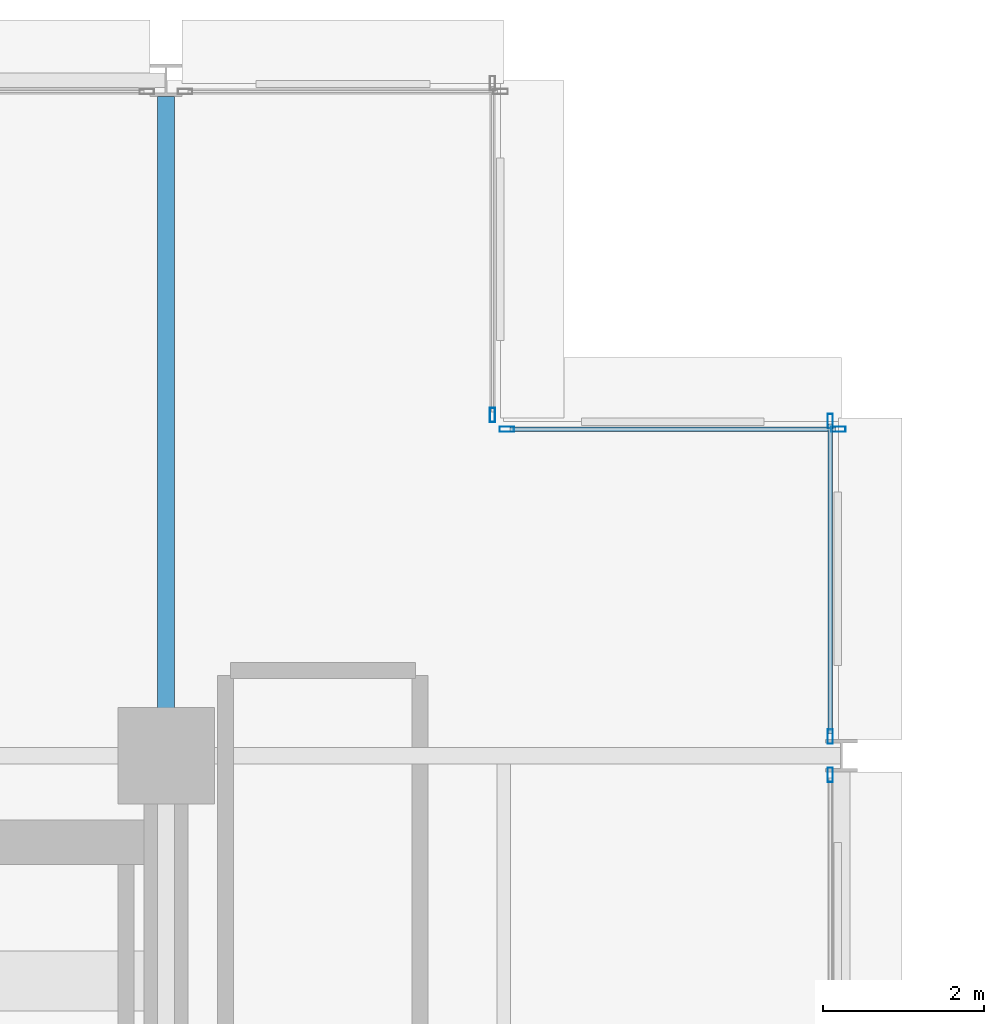
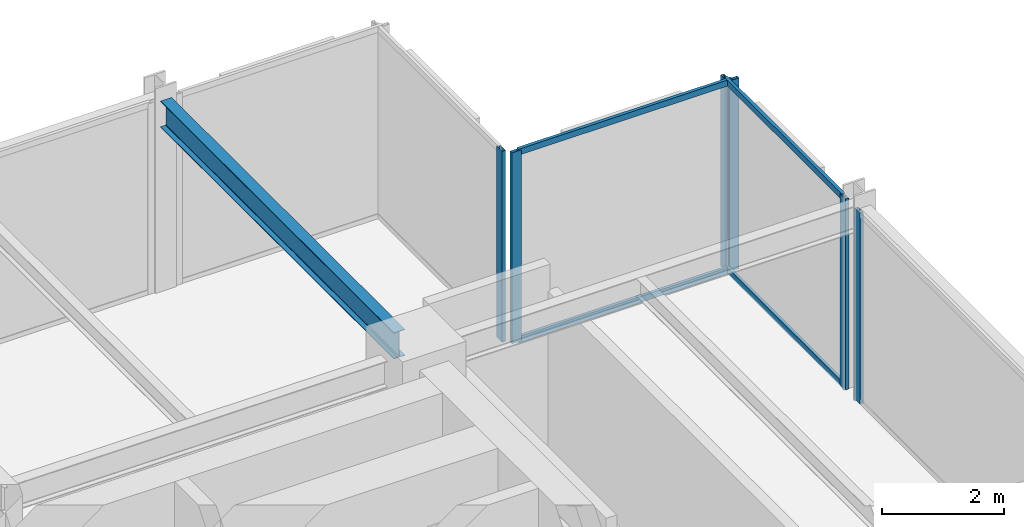
# One storey, part 28 of 39: 10 members, 1 beam, 4 elements without a shape of their own.
"""IFC4 building model written with IfcOpenShell, lengths in metres."""

from ifc_helpers import new_model, si_unit, direction, frame, origin, origin_2d, place, context, subcontext, project, spatial, hollow_rectangle, i_section, extrude, material, layer, layer_set, material_profile, profile_set, type_object, element, aggregate, save


model = new_model("IFC4")

# Units and contexts
model_context = context("Model", 3, precision=1e-05, world=origin(), true_north=direction((0.0, 1.0)))
body_context = subcontext(model_context, "Body", "Model", "MODEL_VIEW")
ifc_project = project(units=[si_unit("LENGTHUNIT", "METRE"), si_unit("AREAUNIT", "SQUARE_METRE"), si_unit("VOLUMEUNIT", "CUBIC_METRE"), si_unit("PLANEANGLEUNIT", "RADIAN"), si_unit("MASSUNIT", "GRAM", prefix="KILO")], contexts=[model_context])

# Site, building, storey
site_placement = place(None, origin())
site = spatial("IfcSite", under=ifc_project, at=site_placement, CompositionType="ELEMENT")
building_placement = place(site_placement, origin())
building = spatial("IfcBuilding", under=site, at=building_placement, Name="Nerrivon Quay Data Exchange", CompositionType="ELEMENT")
storey_placement = place(building_placement, frame((0.0, 0.0, 104.89990234375)))
storey = spatial("IfcBuildingStorey", under=building, at=storey_placement, Name="L24", CompositionType="ELEMENT", Elevation=104.89990234375)

# Beam
ifc_material_1 = material(Name="Steel Grade 350", Category="steel")
ifc_material_profile_1 = material_profile(ifc_material_1, i_section(OverallWidth=0.208984375, OverallDepth=0.528076171875, WebThickness=0.009521484375, FlangeThickness=0.01318359375, FilletRadius=0.013916015625, at=origin_2d()), Name="530UB82.0")
ifc_profile_set_1 = profile_set([ifc_material_profile_1], Name="Steel Grade 350")
beam_type = type_object("IfcBeamType", Name="BM-G4-530UB82", PredefinedType="BEAM", material=ifc_profile_set_1)
beam_placement = place(storey_placement, frame((16.800048828125, 42.5400390625, 3.56103515625), z_axis=(0.0, 1.0, 0.0), x_axis=(-1.0, 0.0, 0.0)))
element("IfcBeam", 1, at=beam_placement, inside=storey, type_object=beam_type, Name="L24 NS Girder X=16.8 (42.0..50.4)", PredefinedType="BEAM", context=body_context, shape_type="SweptSolid", body=[
    extrude(i_section(OverallWidth=0.208984375, OverallDepth=0.528076171875, WebThickness=0.009521484375, FlangeThickness=0.01318359375, FilletRadius=0.013916015625, at=origin_2d()), origin(), (0.0, 0.0, 1.0), 7.659912109375),
])

# Curtain wall, member
ifc_material_2 = material(Name="Anodised aluminium 6063-T6", Category="aluminium")
ifc_layer = layer(ifc_material_2, 0.2099609375)
ifc_layer_set = layer_set([ifc_layer], Name="Anodised aluminium 6063-T6")
curtain_wall_type = type_object("IfcCurtainWallType", Name="CW-SYS-02", PredefinedType="NOTDEFINED", material=ifc_layer_set)
curtain_wall_1_placement = place(storey_placement, origin())
curtain_wall_1 = element("IfcCurtainWall", 2, at=curtain_wall_1_placement, inside=storey, type_object=curtain_wall_type, Name="L24 Unitised Curtain Wall 27", PredefinedType="NOTDEFINED")
ifc_material_profile_2 = material_profile(ifc_material_2, hollow_rectangle(XDim=0.06494140625, YDim=0.179931640625, WallThickness=0.00341796875, at=origin_2d()), Name="ALU-MULL-180x65")
ifc_profile_set_2 = profile_set([ifc_material_profile_2], Name="Anodised aluminium 6063-T6")
member_type_1 = type_object("IfcMemberType", Name="CWM-180x65", PredefinedType="MULLION", material=ifc_profile_set_2)
member_1_placement = place(storey_placement, frame((20.860107421875, 46.237548828125, 0.0), z_axis=(0.0, 0.0, 1.0), x_axis=(1.0, 0.0, 0.0)))
member_1 = element("IfcMember", 3, at=member_1_placement, type_object=member_type_1, Name="CW02 mullion 2", PredefinedType="MULLION", context=body_context, shape_type="SweptSolid", body=[
    extrude(hollow_rectangle(XDim=0.06494140625, YDim=0.179931640625, WallThickness=0.00341796875, at=origin_2d()), origin(), (0.0, 0.0, 1.0), 3.8251953125),
])
aggregate(curtain_wall_1, [member_1])

# Curtain wall, members
curtain_wall_2_placement = place(storey_placement, origin())
curtain_wall_2 = element("IfcCurtainWall", 4, at=curtain_wall_2_placement, inside=storey, type_object=curtain_wall_type, Name="L24 Unitised Curtain Wall 28", PredefinedType="NOTDEFINED")
member_2_placement = place(storey_placement, frame((21.03759765625, 46.06005859375, 0.0), z_axis=(0.0, 0.0, 1.0), x_axis=(0.0, 1.0, 0.0)))
member_2 = element("IfcMember", 5, at=member_2_placement, type_object=member_type_1, Name="CW02 mullion 1", PredefinedType="MULLION", context=body_context, shape_type="SweptSolid", body=[
    extrude(hollow_rectangle(XDim=0.06494140625, YDim=0.179931640625, WallThickness=0.00341796875, at=origin_2d()), origin(), (0.0, 0.0, 1.0), 3.8251953125),
])
member_3_placement = place(storey_placement, frame((25.16259765625, 46.06005859375, 0.0), z_axis=(0.0, 0.0, 1.0), x_axis=(0.0, 1.0, 0.0)))
member_3 = element("IfcMember", 6, at=member_3_placement, type_object=member_type_1, Name="CW02 mullion 2", PredefinedType="MULLION", context=body_context, shape_type="SweptSolid", body=[
    extrude(hollow_rectangle(XDim=0.06494140625, YDim=0.179931640625, WallThickness=0.00341796875, at=origin_2d()), origin(), (0.0, 0.0, 1.0), 3.8251953125),
])

curtain_wall_3_placement = place(storey_placement, origin())
curtain_wall_3 = element("IfcCurtainWall", 7, at=curtain_wall_3_placement, inside=storey, type_object=curtain_wall_type, Name="L24 Unitised Curtain Wall 29", PredefinedType="NOTDEFINED")
member_4_placement = place(storey_placement, frame((25.06005859375, 46.16259765625, 0.0), z_axis=(0.0, 0.0, 1.0), x_axis=(1.0, 0.0, 0.0)))
member_4 = element("IfcMember", 8, at=member_4_placement, type_object=member_type_1, Name="CW02 mullion 1", PredefinedType="MULLION", context=body_context, shape_type="SweptSolid", body=[
    extrude(hollow_rectangle(XDim=0.06494140625, YDim=0.179931640625, WallThickness=0.00341796875, at=origin_2d()), origin(), (0.0, 0.0, 1.0), 3.8251953125),
])
member_5_placement = place(storey_placement, frame((25.06005859375, 42.237548828125, 0.0), z_axis=(0.0, 0.0, 1.0), x_axis=(1.0, 0.0, 0.0)))
member_5 = element("IfcMember", 9, at=member_5_placement, type_object=member_type_1, Name="CW02 mullion 2", PredefinedType="MULLION", context=body_context, shape_type="SweptSolid", body=[
    extrude(hollow_rectangle(XDim=0.06494140625, YDim=0.179931640625, WallThickness=0.00341796875, at=origin_2d()), origin(), (0.0, 0.0, 1.0), 3.8251953125),
])

# Curtain wall, member
curtain_wall_4_placement = place(storey_placement, origin())
curtain_wall_4 = element("IfcCurtainWall", 10, at=curtain_wall_4_placement, inside=storey, type_object=curtain_wall_type, Name="L24 Unitised Curtain Wall 30", PredefinedType="NOTDEFINED")
member_6_placement = place(storey_placement, frame((25.06005859375, 41.762451171875, 0.0), z_axis=(0.0, 0.0, 1.0), x_axis=(1.0, 0.0, 0.0)))
member_6 = element("IfcMember", 11, at=member_6_placement, type_object=member_type_1, Name="CW02 mullion 1", PredefinedType="MULLION", context=body_context, shape_type="SweptSolid", body=[
    extrude(hollow_rectangle(XDim=0.06494140625, YDim=0.179931640625, WallThickness=0.00341796875, at=origin_2d()), origin(), (0.0, 0.0, 1.0), 3.8251953125),
])
aggregate(curtain_wall_4, [member_6])

# Member
ifc_material_profile_3 = material_profile(ifc_material_2, hollow_rectangle(XDim=0.06005859375, YDim=0.1201171875, WallThickness=0.003173828125, at=origin_2d()), Name="ALU-TRAN-120x60")
ifc_profile_set_3 = profile_set([ifc_material_profile_3], Name="Anodised aluminium 6063-T6")
member_type_2 = type_object("IfcMemberType", Name="CWT-120x60", PredefinedType="USERDEFINED", material=ifc_profile_set_3)
member_7_placement = place(storey_placement, frame((21.074951171875, 46.06005859375, 0.03271484375), z_axis=(1.0, 0.0, 0.0), x_axis=(0.0, 1.0, 0.0)))
member_7 = element("IfcMember", 12, at=member_7_placement, type_object=member_type_2, Name="CW02 transom 1.1", ObjectType="TRANSOM", PredefinedType="USERDEFINED", context=body_context, shape_type="SweptSolid", body=[
    extrude(hollow_rectangle(XDim=0.06005859375, YDim=0.1201171875, WallThickness=0.003173828125, at=origin_2d()), origin(), (0.0, 0.0, 1.0), 4.050048828125),
])

member_8_placement = place(storey_placement, frame((21.074951171875, 46.06005859375, 3.79248046875), z_axis=(1.0, 0.0, 0.0), x_axis=(0.0, 1.0, 0.0)))
member_8 = element("IfcMember", 13, at=member_8_placement, type_object=member_type_2, Name="CW02 transom 1.2", ObjectType="TRANSOM", PredefinedType="USERDEFINED", context=body_context, shape_type="SweptSolid", body=[
    extrude(hollow_rectangle(XDim=0.06005859375, YDim=0.1201171875, WallThickness=0.003173828125, at=origin_2d()), origin(), (0.0, 0.0, 1.0), 4.050048828125),
])

aggregate(curtain_wall_2, [member_2, member_3, member_7, member_8])

member_9_placement = place(storey_placement, frame((25.06005859375, 46.125, 0.03271484375), z_axis=(0.0, -1.0, 0.0), x_axis=(1.0, 0.0, 0.0)))
member_9 = element("IfcMember", 14, at=member_9_placement, type_object=member_type_2, Name="CW02 transom 1.1", ObjectType="TRANSOM", PredefinedType="USERDEFINED", context=body_context, shape_type="SweptSolid", body=[
    extrude(hollow_rectangle(XDim=0.06005859375, YDim=0.1201171875, WallThickness=0.003173828125, at=origin_2d()), origin(), (0.0, 0.0, 1.0), 3.85009765625),
])

member_10_placement = place(storey_placement, frame((25.06005859375, 46.125, 3.79248046875), z_axis=(0.0, -1.0, 0.0), x_axis=(1.0, 0.0, 0.0)))
member_10 = element("IfcMember", 15, at=member_10_placement, type_object=member_type_2, Name="CW02 transom 1.2", ObjectType="TRANSOM", PredefinedType="USERDEFINED", context=body_context, shape_type="SweptSolid", body=[
    extrude(hollow_rectangle(XDim=0.06005859375, YDim=0.1201171875, WallThickness=0.003173828125, at=origin_2d()), origin(), (0.0, 0.0, 1.0), 3.85009765625),
])

aggregate(curtain_wall_3, [member_4, member_5, member_9, member_10])

save(model, "model.ifc")
